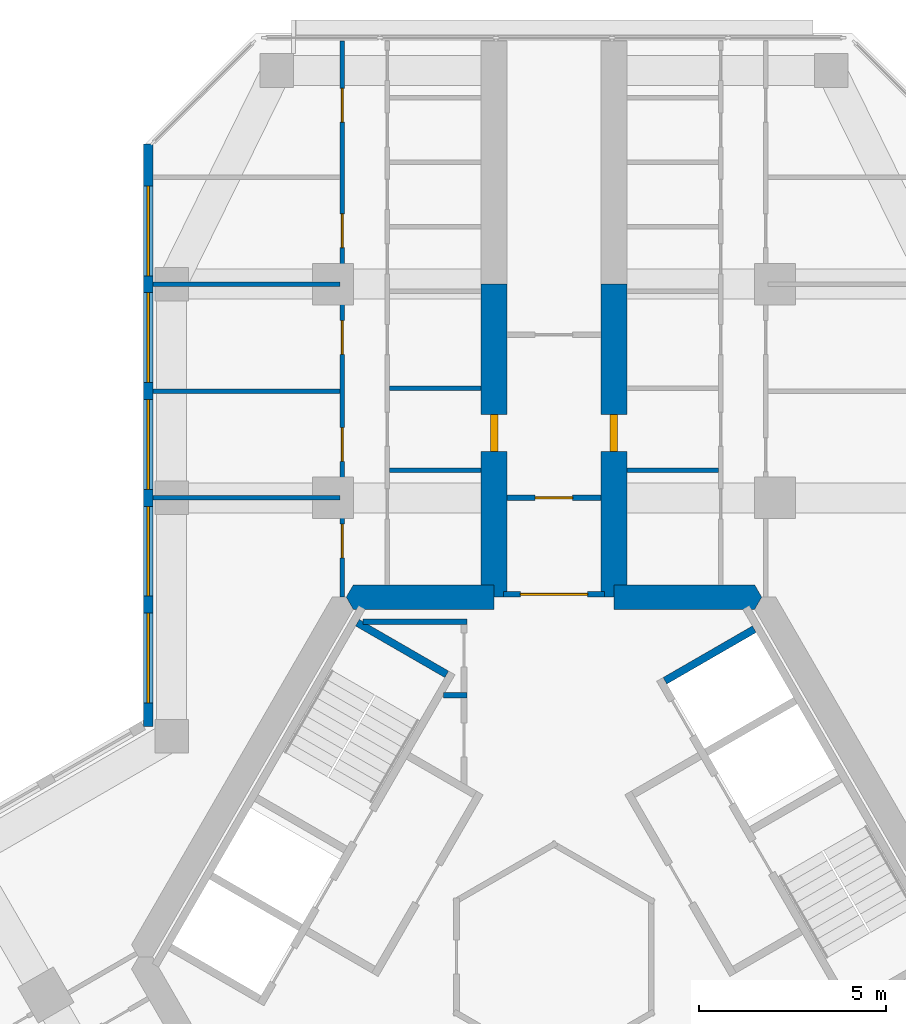
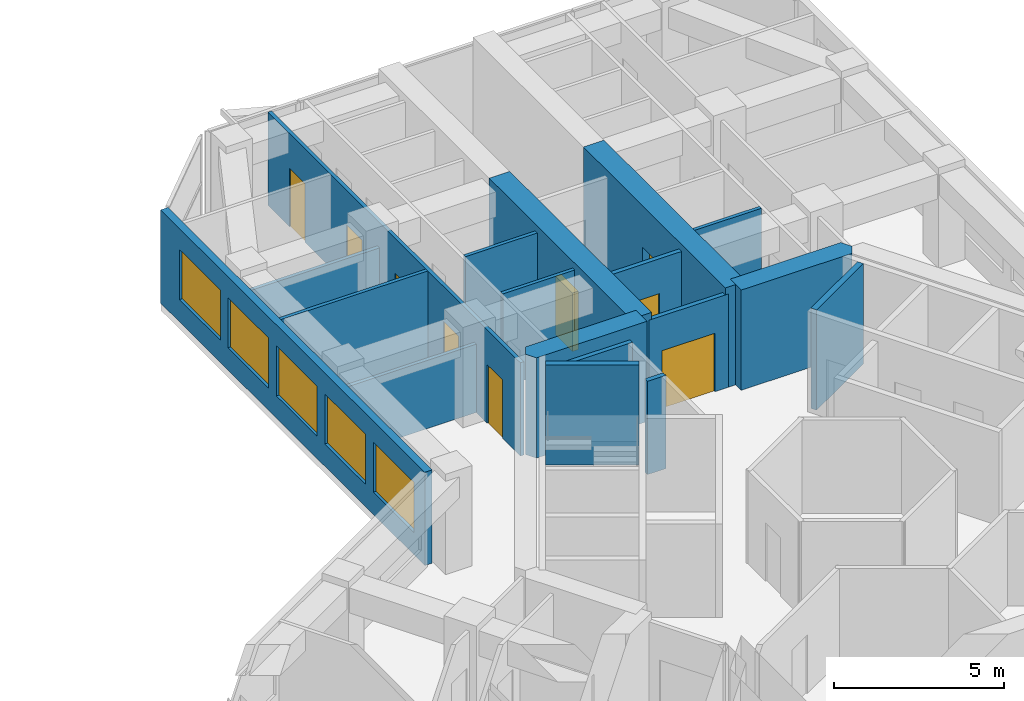
# One storey, part 14 of 17: 18 walls, 9 doors, 5 windows, 14 openings.
"""IFC4 building model written with IfcOpenShell, lengths in metres."""

from ifc_helpers import new_model, si_unit, direction, frame, frame_2d, origin, place, context, subcontext, project, spatial, polyline, rectangle, outline, extrude, material, layer, layer_set, type_object, element, fill, save


model = new_model("IFC4")

# Units and contexts
model_context = context("Model", 3, precision=1e-05, world=origin(), true_north=direction((0.0, 1.0)))
body_context = subcontext(model_context, "Body", "Model", "MODEL_VIEW")
ifc_project = project(units=[si_unit("LENGTHUNIT", "METRE"), si_unit("AREAUNIT", "SQUARE_METRE"), si_unit("VOLUMEUNIT", "CUBIC_METRE"), si_unit("PLANEANGLEUNIT", "RADIAN"), si_unit("MASSUNIT", "GRAM", prefix="KILO")], contexts=[model_context])

# Site, building, storey
site_placement = place(None, origin())
site = spatial("IfcSite", under=ifc_project, at=site_placement, CompositionType="ELEMENT")
building_placement = place(site_placement, origin())
building = spatial("IfcBuilding", under=site, at=building_placement, Name="Kosmar Iwan School Tower", CompositionType="ELEMENT")
storey_placement = place(building_placement, frame((0.0, 0.0, 193.800048828125)))
storey = spatial("IfcBuildingStorey", under=building, at=storey_placement, Name="L48", CompositionType="ELEMENT", Elevation=193.800048828125)

# Walls
ifc_material_1 = material(Name="Gypsum board on steel studs, fire-rated", Category="steel")
ifc_layer_1 = layer(ifc_material_1, 0.14990234375)
ifc_layer_set_1 = layer_set([ifc_layer_1], Name="Core room partition 150")
wall_type_1 = type_object("IfcWallType", Name="Core room partition 150", PredefinedType="PARTITIONING", material=ifc_layer_set_1)
wall_1_placement = place(storey_placement, frame((-2.324951171875, 6.985107421875, 0.0), z_axis=(0.0, 0.0, 1.0), x_axis=(-1.0, 0.0, 0.0)))
element("IfcWall", 1, at=wall_1_placement, inside=storey, type_object=wall_type_1, Name="Core room partition L48-CW2", PredefinedType="PARTITIONING", context=body_context, shape_type="SweptSolid", body=[
    extrude(rectangle(XDim=0.623779296875, YDim=0.14990234375, at=frame_2d((0.31201171875, 0.0))), origin(), (0.0, 0.0, 1.0), 3.349853515625),
])
wall_2_placement = place(storey_placement, frame((-5.089599609375, 8.93994140625, 0.0), z_axis=(0.0, 0.0, 1.0), x_axis=(1.0, 0.0, 0.0)))
element("IfcWall", 2, at=wall_2_placement, inside=storey, type_object=wall_type_1, Name="Core room partition L48-CW3", PredefinedType="PARTITIONING", context=body_context, shape_type="SweptSolid", body=[
    extrude(rectangle(XDim=2.7646484375, YDim=0.14990234375, at=frame_2d((1.38232421875, 0.0))), origin(), (0.0, 0.0, 1.0), 3.349853515625),
])
ifc_material_2 = material(Name="Concrete C50/60", Category="concrete")
ifc_layer_2 = layer(ifc_material_2, 0.64990234375)
ifc_layer_set_2 = layer_set([ifc_layer_2], Name="Core wall 650")
wall_type_2 = type_object("IfcWallType", Name="Core wall 650", PredefinedType="SHEAR", material=ifc_layer_set_2)
wall_3_placement = place(storey_placement, origin())
element("IfcWall", 3, at=wall_3_placement, inside=storey, type_object=wall_type_2, Name="Core wall F090a", PredefinedType="SHEAR", context=body_context, shape_type="SweptSolid", body=[
    extrude(outline(polyline([(1.60009765625, 9.27490234375), (5.35498046875, 9.27490234375), (5.54248046875, 9.60009765625), (5.35498046875, 9.925048828125), (1.60009765625, 9.925048828125), (1.60009765625, 9.27490234375)])), origin(), (0.0, 0.0, 1.0), 3.599853515625),
])
wall_4_placement = place(storey_placement, origin())
element("IfcWall", 4, at=wall_4_placement, inside=storey, type_object=wall_type_2, Name="Core wall F090b", PredefinedType="SHEAR", context=body_context, shape_type="SweptSolid", body=[
    extrude(outline(polyline([(-5.35498046875, 9.27490234375), (-1.60009765625, 9.27490234375), (-1.60009765625, 9.925048828125), (-5.35498046875, 9.925048828125), (-5.54248046875, 9.60009765625), (-5.35498046875, 9.27490234375)])), origin(), (0.0, 0.0, 1.0), 3.599853515625),
])

# Wall, opening, door
ifc_material_3 = material(Name="Concrete C50/60", Category="concrete")
ifc_layer_3 = layer(ifc_material_3, 0.699951171875)
ifc_layer_set_3 = layer_set([ifc_layer_3], Name="Corridor buttress wall 700")
wall_type_3 = type_object("IfcWallType", Name="Corridor buttress wall 700", PredefinedType="SHEAR", material=ifc_layer_set_3)
wall_5_placement = place(storey_placement, frame((-1.60009765625, 9.60009765625, 0.0), z_axis=(0.0, 0.0, 1.0), x_axis=(0.0, 1.0, 0.0)))
wall_5 = element("IfcWall", 5, at=wall_5_placement, inside=storey, type_object=wall_type_3, Name="Corridor wall AL", PredefinedType="SHEAR", context=body_context, shape_type="SweptSolid", body=[
    extrude(rectangle(XDim=8.349853515625, YDim=0.699951171875, at=frame_2d((4.1748046875, 0.0))), origin(), (0.0, 0.0, 1.0), 3.599853515625),
])
opening_1_placement = place(wall_5_placement, frame((3.8798828125, 0.0, 0.0)))
opening_1 = element("IfcOpeningElement", 6, at=opening_1_placement, cuts=wall_5, Name="Opening D1", PredefinedType="OPENING", context=body_context, shape_type="SweptSolid", body=[
    extrude(rectangle(XDim=1.0, YDim=2.10009765625, at=frame_2d((0.5, 1.050048828125))), frame((0.0, 0.362060546875, 0.0), z_axis=(0.0, -1.0, 0.0), x_axis=(1.0, 0.0, 0.0)), (0.0, 0.0, 1.0), 0.723876953125),
])
ifc_material_4 = material(Name="Timber fire door in steel frame", Category="steel")
door_type_1 = type_object("IfcDoorType", Name="Flat entrance door 1000x2100", OperationType="SINGLE_SWING_LEFT", PredefinedType="DOOR", material=ifc_material_4)
door_1_placement = place(opening_1_placement, origin())
door_1 = element("IfcDoor", 7, at=door_1_placement, inside=storey, type_object=door_type_1, Name="Flat L48-AL1 entrance door", OperationType="SINGLE_SWING_LEFT", OverallHeight=2.10009765625, OverallWidth=1.0, PredefinedType="DOOR", context=body_context, shape_type="SweptSolid", body=[
    extrude(rectangle(XDim=1.0, YDim=2.10009765625, at=frame_2d((0.5, 1.050048828125))), frame((0.0, 0.10009765625, 0.0), z_axis=(0.0, -1.0, 0.0), x_axis=(1.0, 0.0, 0.0)), (0.0, 0.0, 1.0), 0.199951171875),
])
fill(opening_1, door_1)

wall_6_placement = place(storey_placement, frame((1.60009765625, 9.60009765625, 0.0), z_axis=(0.0, 0.0, 1.0), x_axis=(0.0, 1.0, 0.0)))
wall_6 = element("IfcWall", 8, at=wall_6_placement, inside=storey, type_object=wall_type_3, Name="Corridor wall AR", PredefinedType="SHEAR", context=body_context, shape_type="SweptSolid", body=[
    extrude(rectangle(XDim=8.349853515625, YDim=0.699951171875, at=frame_2d((4.1748046875, 0.0))), origin(), (0.0, 0.0, 1.0), 3.599853515625),
])
opening_2_placement = place(wall_6_placement, frame((3.8798828125, 0.0, 0.0)))
opening_2 = element("IfcOpeningElement", 9, at=opening_2_placement, cuts=wall_6, Name="Opening D1", PredefinedType="OPENING", context=body_context, shape_type="SweptSolid", body=[
    extrude(rectangle(XDim=1.0, YDim=2.10009765625, at=frame_2d((0.5, 1.050048828125))), frame((0.0, 0.362060546875, 0.0), z_axis=(0.0, -1.0, 0.0), x_axis=(1.0, 0.0, 0.0)), (0.0, 0.0, 1.0), 0.723876953125),
])
door_2_placement = place(opening_2_placement, origin())
door_2 = element("IfcDoor", 10, at=door_2_placement, inside=storey, type_object=door_type_1, Name="Flat L48-AR1 entrance door", OperationType="SINGLE_SWING_LEFT", OverallHeight=2.10009765625, OverallWidth=1.0, PredefinedType="DOOR", context=body_context, shape_type="SweptSolid", body=[
    extrude(rectangle(XDim=1.0, YDim=2.10009765625, at=frame_2d((0.5, 1.050048828125))), frame((0.0, 0.10009765625, 0.0), z_axis=(0.0, -1.0, 0.0), x_axis=(1.0, 0.0, 0.0)), (0.0, 0.0, 1.0), 0.199951171875),
])
fill(opening_2, door_2)

ifc_material_5 = material(Name="Gypsum board on steel studs, fire-rated", Category="steel")
ifc_layer_4 = layer(ifc_material_5, 0.14990234375)
ifc_layer_set_4 = layer_set([ifc_layer_4], Name="Corridor end wall 150")
wall_type_4 = type_object("IfcWallType", Name="Corridor end wall 150", PredefinedType="PARTITIONING", material=ifc_layer_set_4)
wall_7_placement = place(storey_placement, frame((1.25, 12.25, 0.0), z_axis=(0.0, 0.0, 1.0), x_axis=(-1.0, 0.0, 0.0)))
wall_7 = element("IfcWall", 11, at=wall_7_placement, inside=storey, type_object=wall_type_4, Name="Partition L48-A-HW", PredefinedType="PARTITIONING", context=body_context, shape_type="SweptSolid", body=[
    extrude(rectangle(XDim=2.5, YDim=0.14990234375, at=frame_2d((1.25, 0.0))), origin(), (0.0, 0.0, 1.0), 3.349853515625),
])
opening_3_placement = place(wall_7_placement, frame((0.75, 0.0, 0.0)))
opening_3 = element("IfcOpeningElement", 12, at=opening_3_placement, cuts=wall_7, Name="Opening D13", PredefinedType="OPENING", context=body_context, shape_type="SweptSolid", body=[
    extrude(rectangle(XDim=1.0, YDim=2.10009765625, at=frame_2d((0.5, 1.050048828125))), frame((0.0, 0.0869140625, 0.0), z_axis=(0.0, -1.0, 0.0), x_axis=(1.0, 0.0, 0.0)), (0.0, 0.0, 1.0), 0.173828125),
])
ifc_material_6 = material(Name="Timber fire door with vision panel", Category="wood")
door_type_2 = type_object("IfcDoorType", Name="Corridor end door 1000x2100", OperationType="SINGLE_SWING_LEFT", PredefinedType="DOOR", material=ifc_material_6)
door_3_placement = place(opening_3_placement, origin())
door_3 = element("IfcDoor", 13, at=door_3_placement, inside=storey, type_object=door_type_2, Name="Entrance door L48-A", OperationType="SINGLE_SWING_RIGHT", OverallHeight=2.10009765625, OverallWidth=1.0, PredefinedType="DOOR", context=body_context, shape_type="SweptSolid", body=[
    extrude(rectangle(XDim=1.0, YDim=2.10009765625, at=frame_2d((0.5, 1.050048828125))), frame((0.0, 0.02490234375, 0.0), z_axis=(0.0, -1.0, 0.0), x_axis=(1.0, 0.0, 0.0)), (0.0, 0.0, 1.0), 0.050048828125),
])
fill(opening_3, door_3)

ifc_material_7 = material(Name="Steel framed glazed screen", Category="steel")
ifc_layer_5 = layer(ifc_material_7, 0.14990234375)
ifc_layer_set_5 = layer_set([ifc_layer_5], Name="Corridor screen wall 150")
wall_type_5 = type_object("IfcWallType", Name="Corridor screen wall 150", PredefinedType="PARTITIONING", material=ifc_layer_set_5)
wall_8_placement = place(storey_placement, frame((1.35009765625, 9.675048828125, 0.0), z_axis=(0.0, 0.0, 1.0), x_axis=(-1.0, 0.0, 0.0)))
wall_8 = element("IfcWall", 14, at=wall_8_placement, inside=storey, type_object=wall_type_5, Name="Corridor screen A L48", PredefinedType="PARTITIONING", context=body_context, shape_type="SweptSolid", body=[
    extrude(rectangle(XDim=2.7001953125, YDim=0.14990234375, at=frame_2d((1.35009765625, 0.0))), origin(), (0.0, 0.0, 1.0), 3.349853515625),
])
opening_4_placement = place(wall_8_placement, frame((0.449951171875, 0.0, 0.0)))
opening_4 = element("IfcOpeningElement", 15, at=opening_4_placement, cuts=wall_8, Name="Opening D9", PredefinedType="OPENING", context=body_context, shape_type="SweptSolid", body=[
    extrude(rectangle(XDim=1.800048828125, YDim=2.10009765625, at=frame_2d((0.89990234375, 1.050048828125))), frame((0.0, 0.0869140625, 0.0), z_axis=(0.0, -1.0, 0.0), x_axis=(1.0, 0.0, 0.0)), (0.0, 0.0, 1.0), 0.173828125),
])
ifc_material_8 = material(Name="Steel framed glazed smoke door", Category="steel")
door_type_3 = type_object("IfcDoorType", Name="Corridor smoke door pair 1800x2100", OperationType="DOUBLE_DOOR_DOUBLE_SWING", PredefinedType="DOOR", material=ifc_material_8)
door_4_placement = place(opening_4_placement, origin())
door_4 = element("IfcDoor", 16, at=door_4_placement, inside=storey, type_object=door_type_3, Name="Corridor doors A L48", OperationType="DOUBLE_DOOR_DOUBLE_SWING", OverallHeight=2.10009765625, OverallWidth=1.800048828125, PredefinedType="DOOR", context=body_context, shape_type="SweptSolid", body=[
    extrude(rectangle(XDim=1.800048828125, YDim=2.10009765625, at=frame_2d((0.89990234375, 1.050048828125))), frame((0.0, 0.02490234375, 0.0), z_axis=(0.0, -1.0, 0.0), x_axis=(1.0, 0.0, 0.0)), (0.0, 0.0, 1.0), 0.050048828125),
])
fill(opening_4, door_4)

# Wall, openings, doors
ifc_material_9 = material(Name="Gypsum board on steel studs", Category="steel")
ifc_layer_6 = layer(ifc_material_9, 0.1201171875)
ifc_layer_set_6 = layer_set([ifc_layer_6], Name="Dwelling partition 120")
wall_type_6 = type_object("IfcWallType", Name="Dwelling partition 120", PredefinedType="PARTITIONING", material=ifc_layer_set_6)
wall_9_placement = place(storey_placement, frame((-5.64990234375, 9.60009765625, 0.0), z_axis=(0.0, 0.0, 1.0), x_axis=(0.0, 1.0, 0.0)))
wall_9 = element("IfcWall", 17, at=wall_9_placement, inside=storey, type_object=wall_type_6, Name="Partition L48-AL1-W2", PredefinedType="PARTITIONING", context=body_context, shape_type="SweptSolid", body=[
    extrude(rectangle(XDim=14.844970703125, YDim=0.1201171875, at=frame_2d((7.42236328125, 0.0))), origin(), (0.0, 0.0, 1.0), 3.349853515625),
])
opening_5_placement = place(wall_9_placement, frame((1.050048828125, 0.0, 0.0)))
opening_5 = element("IfcOpeningElement", 18, at=opening_5_placement, cuts=wall_9, Name="Opening D2", PredefinedType="OPENING", context=body_context, shape_type="SweptSolid", body=[
    extrude(rectangle(XDim=0.89990234375, YDim=2.10009765625, at=frame_2d((0.449951171875, 1.050048828125))), frame((0.0, 0.072021484375, 0.0), z_axis=(0.0, -1.0, 0.0), x_axis=(1.0, 0.0, 0.0)), (0.0, 0.0, 1.0), 0.14404296875),
])
opening_6_placement = place(wall_9_placement, frame((3.625, 0.0, 0.0)))
opening_6 = element("IfcOpeningElement", 19, at=opening_6_placement, cuts=wall_9, Name="Opening D2", PredefinedType="OPENING", context=body_context, shape_type="SweptSolid", body=[
    extrude(rectangle(XDim=0.89990234375, YDim=2.10009765625, at=frame_2d((0.449951171875, 1.050048828125))), frame((0.0, 0.072021484375, 0.0), z_axis=(0.0, -1.0, 0.0), x_axis=(1.0, 0.0, 0.0)), (0.0, 0.0, 1.0), 0.14404296875),
])
opening_7_placement = place(wall_9_placement, frame((6.47509765625, 0.0, 0.0)))
opening_7 = element("IfcOpeningElement", 20, at=opening_7_placement, cuts=wall_9, Name="Opening D2", PredefinedType="OPENING", context=body_context, shape_type="SweptSolid", body=[
    extrude(rectangle(XDim=0.89990234375, YDim=2.10009765625, at=frame_2d((0.449951171875, 1.050048828125))), frame((0.0, 0.072021484375, 0.0), z_axis=(0.0, -1.0, 0.0), x_axis=(1.0, 0.0, 0.0)), (0.0, 0.0, 1.0), 0.14404296875),
])
opening_8_placement = place(wall_9_placement, frame((9.324951171875, 0.0, 0.0)))
opening_8 = element("IfcOpeningElement", 21, at=opening_8_placement, cuts=wall_9, Name="Opening D2", PredefinedType="OPENING", context=body_context, shape_type="SweptSolid", body=[
    extrude(rectangle(XDim=0.89990234375, YDim=2.10009765625, at=frame_2d((0.449951171875, 1.050048828125))), frame((0.0, 0.072021484375, 0.0), z_axis=(0.0, -1.0, 0.0), x_axis=(1.0, 0.0, 0.0)), (0.0, 0.0, 1.0), 0.14404296875),
])
opening_9_placement = place(wall_9_placement, frame((12.675048828125, 0.0, 0.0)))
opening_9 = element("IfcOpeningElement", 22, at=opening_9_placement, cuts=wall_9, Name="Opening D2", PredefinedType="OPENING", context=body_context, shape_type="SweptSolid", body=[
    extrude(rectangle(XDim=0.89990234375, YDim=2.10009765625, at=frame_2d((0.449951171875, 1.050048828125))), frame((0.0, 0.072021484375, 0.0), z_axis=(0.0, -1.0, 0.0), x_axis=(1.0, 0.0, 0.0)), (0.0, 0.0, 1.0), 0.14404296875),
])
ifc_material_10 = material(Name="Timber door in timber frame", Category="wood")
door_type_4 = type_object("IfcDoorType", Name="Internal door 900x2100", OperationType="SINGLE_SWING_LEFT", PredefinedType="DOOR", material=ifc_material_10)
door_5_placement = place(opening_5_placement, origin())
door_5 = element("IfcDoor", 23, at=door_5_placement, inside=storey, type_object=door_type_4, Name="Living room and kitchen door L48-AL1-F1", OperationType="SINGLE_SWING_LEFT", OverallHeight=2.10009765625, OverallWidth=0.89990234375, PredefinedType="DOOR", context=body_context, shape_type="SweptSolid", body=[
    extrude(rectangle(XDim=0.89990234375, YDim=2.10009765625, at=frame_2d((0.449951171875, 1.050048828125))), frame((0.0, 0.02490234375, 0.0), z_axis=(0.0, -1.0, 0.0), x_axis=(1.0, 0.0, 0.0)), (0.0, 0.0, 1.0), 0.050048828125),
])
fill(opening_5, door_5)
door_6_placement = place(opening_6_placement, origin())
door_6 = element("IfcDoor", 24, at=door_6_placement, inside=storey, type_object=door_type_4, Name="Study door L48-AL1-F2", OperationType="SINGLE_SWING_RIGHT", OverallHeight=2.10009765625, OverallWidth=0.89990234375, PredefinedType="DOOR", context=body_context, shape_type="SweptSolid", body=[
    extrude(rectangle(XDim=0.89990234375, YDim=2.10009765625, at=frame_2d((0.449951171875, 1.050048828125))), frame((0.0, 0.02490234375, 0.0), z_axis=(0.0, -1.0, 0.0), x_axis=(1.0, 0.0, 0.0)), (0.0, 0.0, 1.0), 0.050048828125),
])
fill(opening_6, door_6)
door_7_placement = place(opening_7_placement, origin())
door_7 = element("IfcDoor", 25, at=door_7_placement, inside=storey, type_object=door_type_4, Name="Bedroom 1 door L48-AL1-F3", OperationType="SINGLE_SWING_LEFT", OverallHeight=2.10009765625, OverallWidth=0.89990234375, PredefinedType="DOOR", context=body_context, shape_type="SweptSolid", body=[
    extrude(rectangle(XDim=0.89990234375, YDim=2.10009765625, at=frame_2d((0.449951171875, 1.050048828125))), frame((0.0, 0.02490234375, 0.0), z_axis=(0.0, -1.0, 0.0), x_axis=(1.0, 0.0, 0.0)), (0.0, 0.0, 1.0), 0.050048828125),
])
fill(opening_7, door_7)
door_8_placement = place(opening_8_placement, origin())
door_8 = element("IfcDoor", 26, at=door_8_placement, inside=storey, type_object=door_type_4, Name="Grandparents' suite door L48-AL1-F4", OperationType="SINGLE_SWING_RIGHT", OverallHeight=2.10009765625, OverallWidth=0.89990234375, PredefinedType="DOOR", context=body_context, shape_type="SweptSolid", body=[
    extrude(rectangle(XDim=0.89990234375, YDim=2.10009765625, at=frame_2d((0.449951171875, 1.050048828125))), frame((0.0, 0.02490234375, 0.0), z_axis=(0.0, -1.0, 0.0), x_axis=(1.0, 0.0, 0.0)), (0.0, 0.0, 1.0), 0.050048828125),
])
fill(opening_8, door_8)
door_9_placement = place(opening_9_placement, origin())
door_9 = element("IfcDoor", 27, at=door_9_placement, inside=storey, type_object=door_type_4, Name="Bedroom 2 door L48-AL1-F5", OperationType="SINGLE_SWING_RIGHT", OverallHeight=2.10009765625, OverallWidth=0.89990234375, PredefinedType="DOOR", context=body_context, shape_type="SweptSolid", body=[
    extrude(rectangle(XDim=0.89990234375, YDim=2.10009765625, at=frame_2d((0.449951171875, 1.050048828125))), frame((0.0, 0.02490234375, 0.0), z_axis=(0.0, -1.0, 0.0), x_axis=(1.0, 0.0, 0.0)), (0.0, 0.0, 1.0), 0.050048828125),
])
fill(opening_9, door_9)

# Walls
wall_10_placement = place(storey_placement, frame((-5.7099609375, 12.25, 0.0), z_axis=(0.0, 0.0, 1.0), x_axis=(-1.0, 0.0, 0.0)))
element("IfcWall", 28, at=wall_10_placement, inside=storey, type_object=wall_type_6, Name="Partition L48-AL1-X1", PredefinedType="PARTITIONING", context=body_context, shape_type="SweptSolid", body=[
    extrude(rectangle(XDim=4.989990234375, YDim=0.1201171875, at=frame_2d((2.4951171875, 0.0))), origin(), (0.0, 0.0, 1.0), 2.449951171875),
])
wall_11_placement = place(storey_placement, frame((-5.7099609375, 15.10009765625, 0.0), z_axis=(0.0, 0.0, 1.0), x_axis=(-1.0, 0.0, 0.0)))
element("IfcWall", 29, at=wall_11_placement, inside=storey, type_object=wall_type_6, Name="Partition L48-AL1-X2", PredefinedType="PARTITIONING", context=body_context, shape_type="SweptSolid", body=[
    extrude(rectangle(XDim=4.989990234375, YDim=0.1201171875, at=frame_2d((2.4951171875, 0.0))), origin(), (0.0, 0.0, 1.0), 3.349853515625),
])
wall_12_placement = place(storey_placement, frame((-5.7099609375, 17.949951171875, 0.0), z_axis=(0.0, 0.0, 1.0), x_axis=(-1.0, 0.0, 0.0)))
element("IfcWall", 30, at=wall_12_placement, inside=storey, type_object=wall_type_6, Name="Partition L48-AL1-X3", PredefinedType="PARTITIONING", context=body_context, shape_type="SweptSolid", body=[
    extrude(rectangle(XDim=4.989990234375, YDim=0.1201171875, at=frame_2d((2.4951171875, 0.0))), origin(), (0.0, 0.0, 1.0), 2.449951171875),
])
for number, where, z_axis, x_axis, name in (
    (31, (-1.949951171875, 12.97998046875, 0.0), (0.0, 0.0, 1.0), (-1.0, 0.0, 0.0), "Partition L48-AL1-Y1"),
    (32, (-1.949951171875, 15.179931640625, 0.0), (0.0, 0.0, 1.0), (-1.0, 0.0, 0.0), "Partition L48-AL1-Y2"),
    (33, (1.949951171875, 12.97998046875, 0.0), (0.0, 0.0, 1.0), (1.0, 0.0, 0.0), "Partition L48-AR1-Y1"),
):
    element("IfcWall", number, at=place(storey_placement, frame(where, z_axis=z_axis, x_axis=x_axis)), inside=storey, type_object=wall_type_6, Name=name, PredefinedType="PARTITIONING", context=body_context, shape_type="SweptSolid", body=[
        extrude(rectangle(XDim=2.43994140625, YDim=0.1201171875, at=frame_2d((1.219970703125, 0.0))), origin(), (0.0, 0.0, 1.0), 3.349853515625),
    ])

# Wall, openings, windows
ifc_material_11 = material(Name="Black aluminium rainscreen on insulated framing", Category="aluminium")
ifc_layer_7 = layer(ifc_material_11, 0.25)
ifc_layer_set_7 = layer_set([ifc_layer_7], Name="External wall rainscreen 250")
wall_type_7 = type_object("IfcWallType", Name="External wall rainscreen 250", PredefinedType="SOLIDWALL", material=ifc_layer_set_7)
wall_13_placement = place(storey_placement, frame((-10.824951171875, 6.14794921875, 0.0), z_axis=(0.0, 0.0, 1.0), x_axis=(0.0, 1.0, 0.0)))
wall_13 = element("IfcWall", 34, at=wall_13_placement, inside=storey, type_object=wall_type_7, Name="External wall AL L48", PredefinedType="SOLIDWALL", context=body_context, shape_type="SweptSolid", body=[
    extrude(rectangle(XDim=15.537353515625, YDim=0.25, at=frame_2d((7.7685546875, 0.0))), origin(), (0.0, 0.0, 1.0), 3.349853515625),
])
opening_10_placement = place(wall_13_placement, frame((0.626953125, 0.0, 0.800048828125)))
opening_10 = element("IfcOpeningElement", 35, at=opening_10_placement, cuts=wall_13, Name="Opening W5", PredefinedType="OPENING", context=body_context, shape_type="SweptSolid", body=[
    extrude(rectangle(XDim=2.39990234375, YDim=1.800048828125, at=frame_2d((1.199951171875, 0.89990234375))), frame((0.0, 0.136962890625, 0.0), z_axis=(0.0, -1.0, 0.0), x_axis=(1.0, 0.0, 0.0)), (0.0, 0.0, 1.0), 0.27392578125),
])
opening_11_placement = place(wall_13_placement, frame((3.47705078125, 0.0, 0.800048828125)))
opening_11 = element("IfcOpeningElement", 36, at=opening_11_placement, cuts=wall_13, Name="Opening W5", PredefinedType="OPENING", context=body_context, shape_type="SweptSolid", body=[
    extrude(rectangle(XDim=2.39990234375, YDim=1.800048828125, at=frame_2d((1.199951171875, 0.89990234375))), frame((0.0, 0.136962890625, 0.0), z_axis=(0.0, -1.0, 0.0), x_axis=(1.0, 0.0, 0.0)), (0.0, 0.0, 1.0), 0.27392578125),
])
opening_12_placement = place(wall_13_placement, frame((6.326904296875, 0.0, 0.800048828125)))
opening_12 = element("IfcOpeningElement", 37, at=opening_12_placement, cuts=wall_13, Name="Opening W5", PredefinedType="OPENING", context=body_context, shape_type="SweptSolid", body=[
    extrude(rectangle(XDim=2.39990234375, YDim=1.800048828125, at=frame_2d((1.199951171875, 0.89990234375))), frame((0.0, 0.136962890625, 0.0), z_axis=(0.0, -1.0, 0.0), x_axis=(1.0, 0.0, 0.0)), (0.0, 0.0, 1.0), 0.27392578125),
])
opening_13_placement = place(wall_13_placement, frame((9.177001953125, 0.0, 0.800048828125)))
opening_13 = element("IfcOpeningElement", 38, at=opening_13_placement, cuts=wall_13, Name="Opening W5", PredefinedType="OPENING", context=body_context, shape_type="SweptSolid", body=[
    extrude(rectangle(XDim=2.39990234375, YDim=1.800048828125, at=frame_2d((1.199951171875, 0.89990234375))), frame((0.0, 0.136962890625, 0.0), z_axis=(0.0, -1.0, 0.0), x_axis=(1.0, 0.0, 0.0)), (0.0, 0.0, 1.0), 0.27392578125),
])
opening_14_placement = place(wall_13_placement, frame((12.027099609375, 0.0, 0.800048828125)))
opening_14 = element("IfcOpeningElement", 39, at=opening_14_placement, cuts=wall_13, Name="Opening W5", PredefinedType="OPENING", context=body_context, shape_type="SweptSolid", body=[
    extrude(rectangle(XDim=2.39990234375, YDim=1.800048828125, at=frame_2d((1.199951171875, 0.89990234375))), frame((0.0, 0.136962890625, 0.0), z_axis=(0.0, -1.0, 0.0), x_axis=(1.0, 0.0, 0.0)), (0.0, 0.0, 1.0), 0.27392578125),
])
ifc_material_12 = material(Name="Black aluminium frame with dark triple glazing", Category="aluminium")
window_type = type_object("IfcWindowType", Name="Window 2400x1800", PartitioningType="SINGLE_PANEL", PredefinedType="WINDOW", material=ifc_material_12)
window_1_placement = place(opening_10_placement, origin())
window_1 = element("IfcWindow", 40, at=window_1_placement, inside=storey, type_object=window_type, Name="Window AL L48 -1", OverallHeight=1.800048828125, OverallWidth=2.39990234375, PartitioningType="SINGLE_PANEL", PredefinedType="WINDOW", context=body_context, shape_type="SweptSolid", body=[
    extrude(rectangle(XDim=2.39990234375, YDim=1.800048828125, at=frame_2d((1.199951171875, 0.89990234375))), frame((0.0, 0.030029296875, 0.0), z_axis=(0.0, -1.0, 0.0), x_axis=(1.0, 0.0, 0.0)), (0.0, 0.0, 1.0), 0.06005859375),
])
fill(opening_10, window_1)
window_2_placement = place(opening_11_placement, origin())
window_2 = element("IfcWindow", 41, at=window_2_placement, inside=storey, type_object=window_type, Name="Window AL L48 0", OverallHeight=1.800048828125, OverallWidth=2.39990234375, PartitioningType="SINGLE_PANEL", PredefinedType="WINDOW", context=body_context, shape_type="SweptSolid", body=[
    extrude(rectangle(XDim=2.39990234375, YDim=1.800048828125, at=frame_2d((1.199951171875, 0.89990234375))), frame((0.0, 0.030029296875, 0.0), z_axis=(0.0, -1.0, 0.0), x_axis=(1.0, 0.0, 0.0)), (0.0, 0.0, 1.0), 0.06005859375),
])
fill(opening_11, window_2)
window_3_placement = place(opening_12_placement, origin())
window_3 = element("IfcWindow", 42, at=window_3_placement, inside=storey, type_object=window_type, Name="Window AL L48 1", OverallHeight=1.800048828125, OverallWidth=2.39990234375, PartitioningType="SINGLE_PANEL", PredefinedType="WINDOW", context=body_context, shape_type="SweptSolid", body=[
    extrude(rectangle(XDim=2.39990234375, YDim=1.800048828125, at=frame_2d((1.199951171875, 0.89990234375))), frame((0.0, 0.030029296875, 0.0), z_axis=(0.0, -1.0, 0.0), x_axis=(1.0, 0.0, 0.0)), (0.0, 0.0, 1.0), 0.06005859375),
])
fill(opening_12, window_3)
window_4_placement = place(opening_13_placement, origin())
window_4 = element("IfcWindow", 43, at=window_4_placement, inside=storey, type_object=window_type, Name="Window AL L48 2", OverallHeight=1.800048828125, OverallWidth=2.39990234375, PartitioningType="SINGLE_PANEL", PredefinedType="WINDOW", context=body_context, shape_type="SweptSolid", body=[
    extrude(rectangle(XDim=2.39990234375, YDim=1.800048828125, at=frame_2d((1.199951171875, 0.89990234375))), frame((0.0, 0.030029296875, 0.0), z_axis=(0.0, -1.0, 0.0), x_axis=(1.0, 0.0, 0.0)), (0.0, 0.0, 1.0), 0.06005859375),
])
fill(opening_13, window_4)
window_5_placement = place(opening_14_placement, origin())
window_5 = element("IfcWindow", 44, at=window_5_placement, inside=storey, type_object=window_type, Name="Window AL L48 3", OverallHeight=1.800048828125, OverallWidth=2.39990234375, PartitioningType="SINGLE_PANEL", PredefinedType="WINDOW", context=body_context, shape_type="SweptSolid", body=[
    extrude(rectangle(XDim=2.39990234375, YDim=1.800048828125, at=frame_2d((1.199951171875, 0.89990234375))), frame((0.0, 0.030029296875, 0.0), z_axis=(0.0, -1.0, 0.0), x_axis=(1.0, 0.0, 0.0)), (0.0, 0.0, 1.0), 0.06005859375),
])
fill(opening_14, window_5)

# Walls
ifc_material_13 = material(Name="Concrete C50/60", Category="concrete")
ifc_layer_8 = layer(ifc_material_13, 0.199951171875)
ifc_layer_set_8 = layer_set([ifc_layer_8], Name="Lift shaft wall 200")
wall_type_8 = type_object("IfcWallType", Name="Lift shaft wall 200", PredefinedType="SHEAR", material=ifc_layer_set_8)
wall_14_placement = place(storey_placement, frame((2.962646484375, 7.368408203125, 0.0), z_axis=(0.0, 0.0, 1.0), x_axis=(0.866027397988, 0.499996545922, 0.0)))
element("IfcWall", 45, at=wall_14_placement, inside=storey, type_object=wall_type_8, Name="Lift shaft wall AC 2", PredefinedType="SHEAR", context=body_context, shape_type="SweptSolid", body=[
    extrude(rectangle(XDim=2.75, YDim=0.199951171875, at=frame_2d((1.375, 0.0))), origin(), (0.0, 0.0, 1.0), 3.599853515625),
])
ifc_material_14 = material(Name="Concrete C50/60", Category="concrete")
ifc_layer_9 = layer(ifc_material_14, 0.199951171875)
ifc_layer_set_9 = layer_set([ifc_layer_9], Name="Stair enclosure wall 200")
wall_type_9 = type_object("IfcWallType", Name="Stair enclosure wall 200", PredefinedType="SHEAR", material=ifc_layer_set_9)
wall_15_placement = place(storey_placement, frame((-2.862548828125, 7.541748046875, 0.0), z_axis=(0.0, 0.0, 1.0), x_axis=(-0.866027397988, 0.499996545922, 0.0)))
element("IfcWall", 46, at=wall_15_placement, inside=storey, type_object=wall_type_9, Name="Stair ST2 wall", PredefinedType="SHEAR", context=body_context, shape_type="SweptSolid", body=[
    extrude(rectangle(XDim=2.75, YDim=0.199951171875, at=frame_2d((1.375, 0.0))), origin(), (0.0, 0.0, 1.0), 3.599853515625),
])

save(model, "model.ifc")
